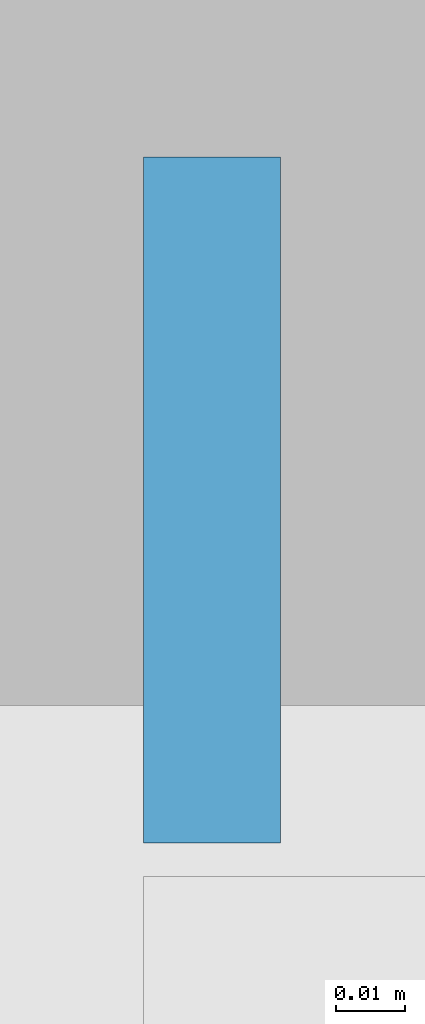
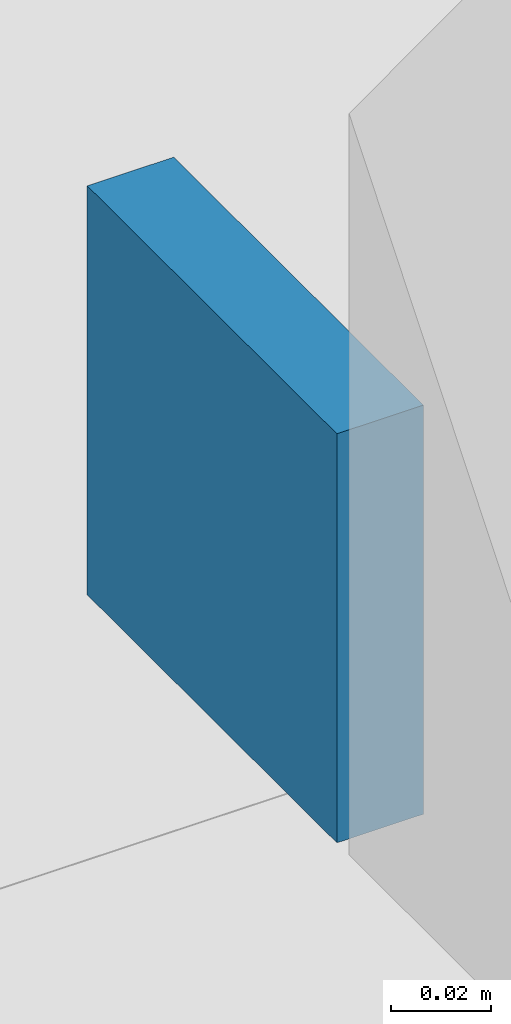
# One storey, part 29 of 31: 1 discrete accessory.
"""IFC4 building model written with IfcOpenShell, lengths in metres."""

from ifc_helpers import new_model, si_unit, direction, frame, origin, origin_2d, place, context, subcontext, project, spatial, rectangle, extrude, material, element, save


model = new_model("IFC4")

# Units and contexts
model_context = context("Model", 3, precision=1e-05, world=origin(), true_north=direction((0.0, 1.0)))
body_context = subcontext(model_context, "Body", "Model", "MODEL_VIEW")
ifc_project = project(units=[si_unit("LENGTHUNIT", "METRE"), si_unit("AREAUNIT", "SQUARE_METRE"), si_unit("VOLUMEUNIT", "CUBIC_METRE"), si_unit("PLANEANGLEUNIT", "RADIAN"), si_unit("MASSUNIT", "GRAM", prefix="KILO")], contexts=[model_context])

# Site, building, storey
site_placement = place(None, origin())
site = spatial("IfcSite", under=ifc_project, at=site_placement, CompositionType="ELEMENT")
building_placement = place(site_placement, origin())
building = spatial("IfcBuilding", under=site, at=building_placement, Name="Silangan Lancet Faculty of Sciences", CompositionType="ELEMENT")
storey_placement = place(building_placement, frame((0.0, 0.0, 36.0)))
storey = spatial("IfcBuildingStorey", under=building, at=storey_placement, Name="L07", CompositionType="ELEMENT", Elevation=36.0)

# Discrete accessory
ifc_material = material(Name="Steel STKR400", Category="steel")
discrete_accessory_placement = place(storey_placement, frame((50.260009765625, 35.655029296875, 4.800048828125), z_axis=(0.0, 0.0, 1.0), x_axis=(1.0, 0.0, 0.0)))
element("IfcDiscreteAccessory", 1, at=discrete_accessory_placement, inside=storey, material=ifc_material, Name="North light sill ATRIUM-2-7 cap", ObjectType="END CAP", PredefinedType="USERDEFINED", context=body_context, shape_type="SweptSolid", body=[
    extrude(rectangle(XDim=0.02001953125, YDim=0.10009765625, at=origin_2d()), origin(), (0.0, 0.0, 1.0), 0.10009765625),
])

save(model, "model.ifc")
